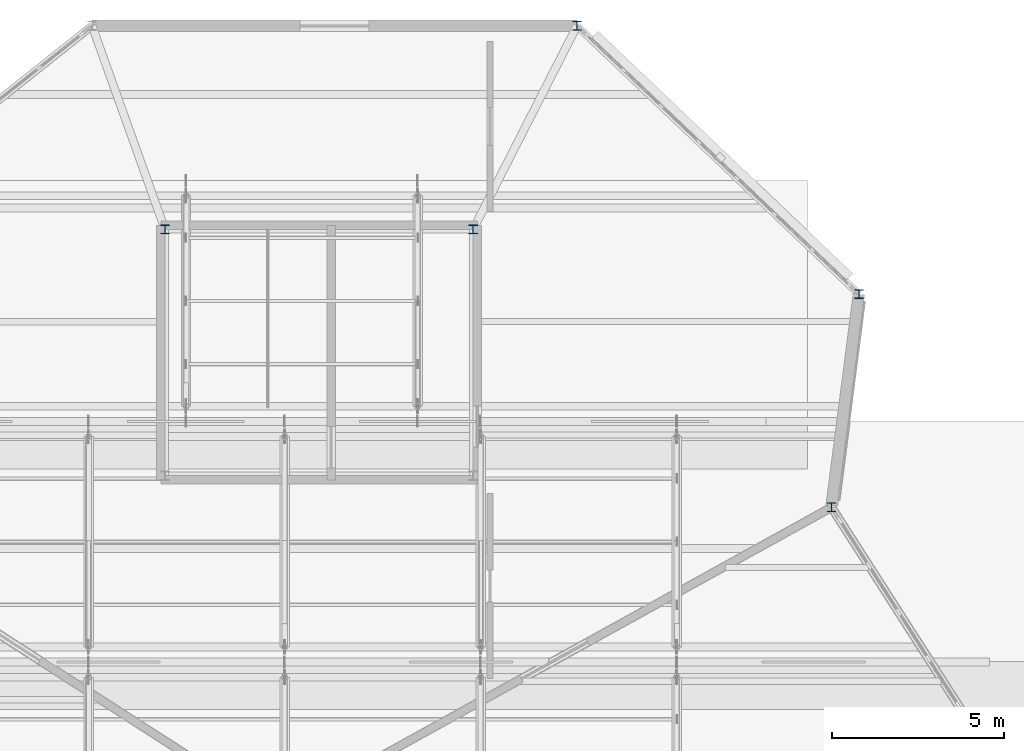
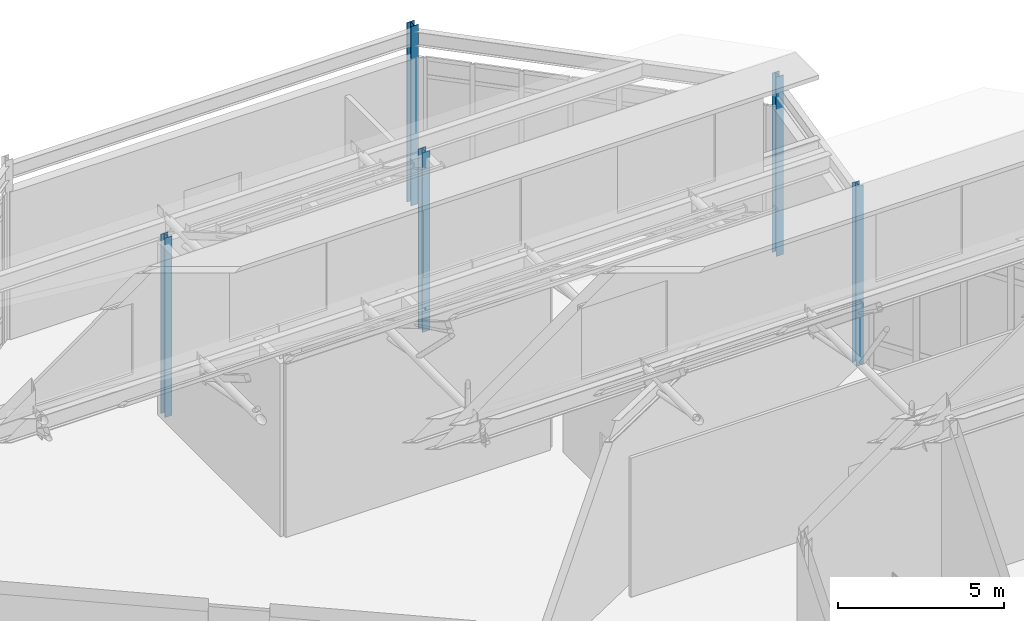
# One storey, part 4 of 55: 5 columns.
"""IFC4 building model written with IfcOpenShell, lengths in metres."""

from ifc_helpers import new_model, si_unit, direction, frame, origin, origin_2d, place, context, subcontext, project, spatial, i_section, extrude, material, material_profile, profile_set, type_object, element, save


model = new_model("IFC4")

# Units and contexts
model_context = context("Model", 3, precision=1e-05, world=origin(), true_north=direction((0.0, 1.0)))
body_context = subcontext(model_context, "Body", "Model", "MODEL_VIEW")
ifc_project = project(units=[si_unit("LENGTHUNIT", "METRE"), si_unit("AREAUNIT", "SQUARE_METRE"), si_unit("VOLUMEUNIT", "CUBIC_METRE"), si_unit("PLANEANGLEUNIT", "RADIAN"), si_unit("MASSUNIT", "GRAM", prefix="KILO")], contexts=[model_context])

# Site, building, storey
site_placement = place(None, origin())
site = spatial("IfcSite", under=ifc_project, at=site_placement, CompositionType="ELEMENT")
building_placement = place(site_placement, origin())
building = spatial("IfcBuilding", under=site, at=building_placement, Name="Tameran Prism Museum", CompositionType="ELEMENT")
storey_placement = place(building_placement, frame((0.0, 0.0, 28.800048828125)))
storey = spatial("IfcBuildingStorey", under=building, at=storey_placement, Name="L05", CompositionType="ELEMENT", Elevation=28.800048828125)

# Columns
ifc_material = material(Name="Steel Grade 300PLUS (300 MPa)", Category="steel")
ifc_material_profile = material_profile(ifc_material, i_section(OverallWidth=0.256103515625, OverallDepth=0.260009765625, WebThickness=0.010498046875, FlangeThickness=0.017333984375, FilletRadius=0.0126953125, at=origin_2d()))
ifc_profile_set = profile_set([ifc_material_profile])
column_type = type_object("IfcColumnType", Name="COL-UC250A", PredefinedType="COLUMN", material=ifc_profile_set)
for number, where, z_axis, x_axis, name in (
    (1, (127.5, 112.0, 0.0), (0.0, 0.0, 1.0), (1.0, 0.0, 0.0), "Column CV-51 L05"),
    (2, (134.89990234375, 98.0, 0.0), (0.0, 0.0, 1.0), (1.0, 0.0, 0.0), "Column CV-54 L05"),
    (3, (135.699951171875, 104.199951171875, 0.0), (0.0, 0.0, 1.0), (1.0, 0.0, 0.0), "Column CV-55 L05"),
    (4, (124.47998046875, 106.080078125, 0.0), (0.0, 0.0, 1.0), (1.0, 0.0, 0.0), "Column CC-7-3 L05"),
    (5, (115.52001953125, 106.080078125, 0.0), (0.0, 0.0, 1.0), (1.0, 0.0, 0.0), "Column CC-7-4 L05"),
):
    element("IfcColumn", number, at=place(storey_placement, frame(where, z_axis=z_axis, x_axis=x_axis)), inside=storey, type_object=column_type, Name=name, PredefinedType="COLUMN", context=body_context, shape_type="SweptSolid", body=[
        extrude(i_section(OverallWidth=0.256103515625, OverallDepth=0.260009765625, WebThickness=0.010498046875, FlangeThickness=0.017333984375, FilletRadius=0.0126953125, at=origin_2d()), origin(), (0.0, 0.0, 1.0), 6.599853515625),
    ])

save(model, "model.ifc")
